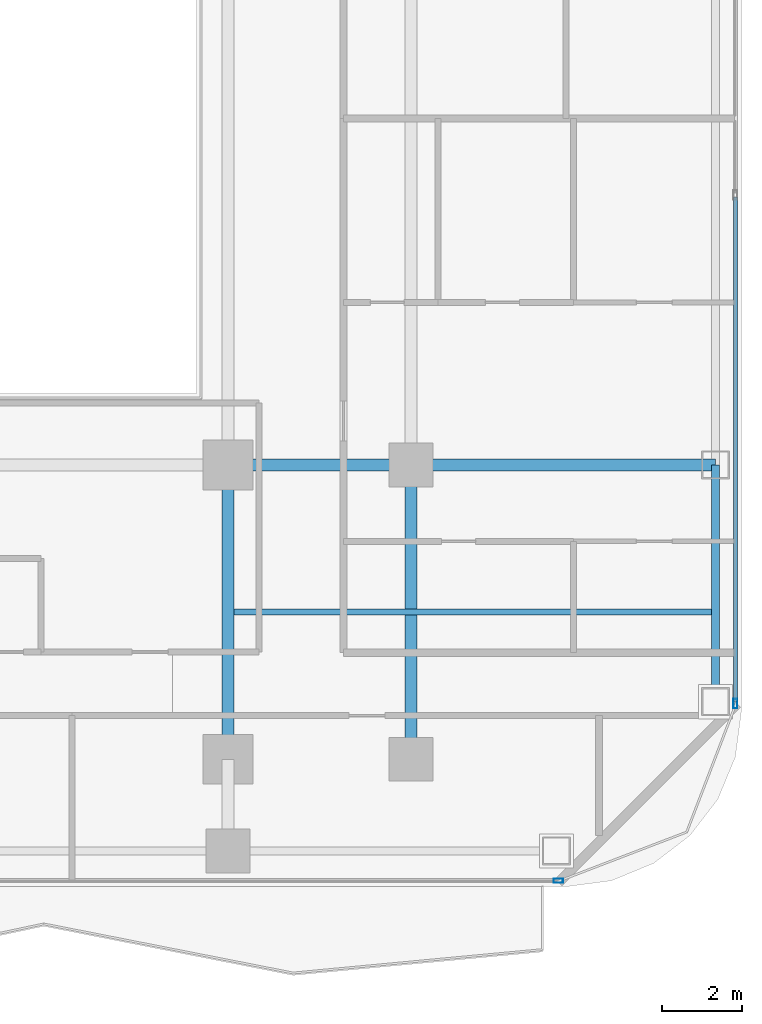
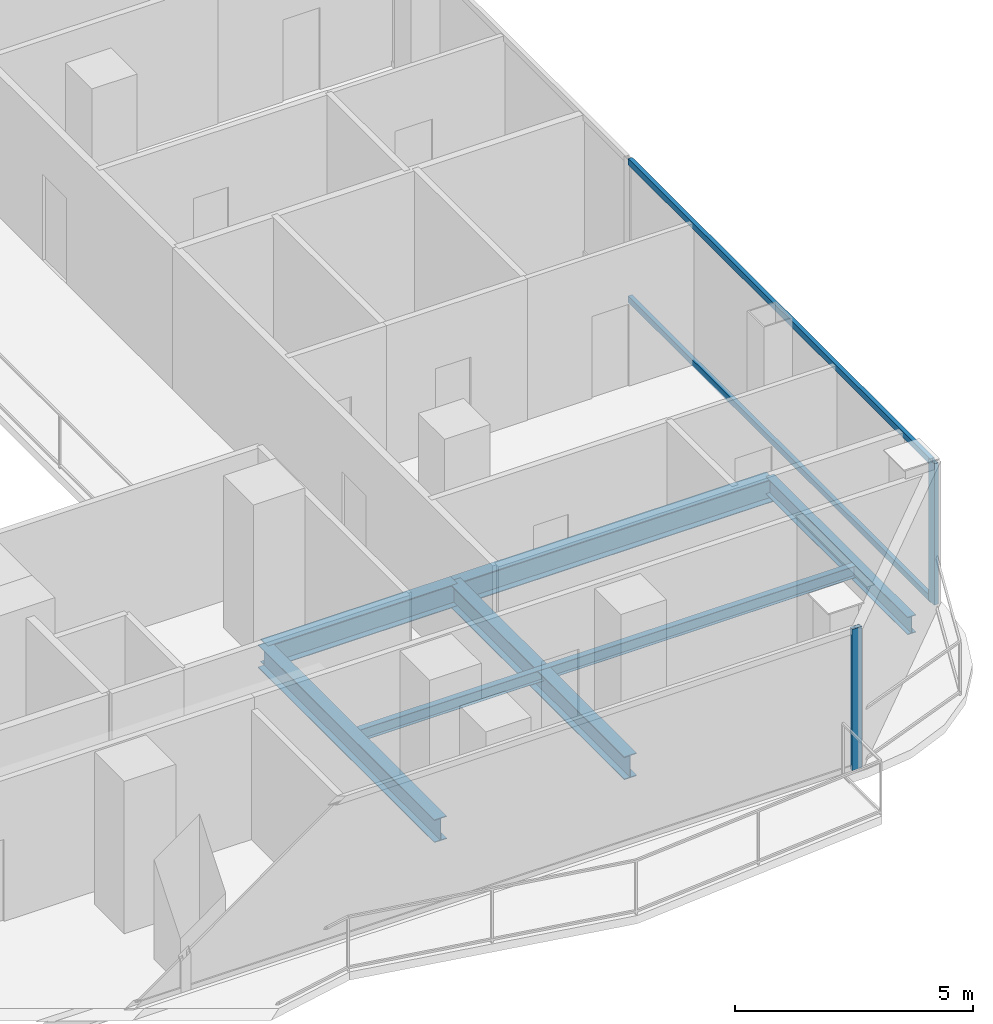
# One storey, part 9 of 27: 6 beams, 4 members, 2 elements without a shape of their own.
"""IFC4 building model written with IfcOpenShell, lengths in metres."""

from ifc_helpers import new_model, si_unit, direction, frame, origin, origin_2d, place, context, subcontext, project, spatial, hollow_rectangle, i_section, extrude, material, layer, layer_set, material_profile, profile_set, type_object, element, aggregate, save


model = new_model("IFC4")

# Units and contexts
model_context = context("Model", 3, precision=1e-05, world=origin(), true_north=direction((0.0, 1.0)))
body_context = subcontext(model_context, "Body", "Model", "MODEL_VIEW")
ifc_project = project(units=[si_unit("LENGTHUNIT", "METRE"), si_unit("AREAUNIT", "SQUARE_METRE"), si_unit("VOLUMEUNIT", "CUBIC_METRE"), si_unit("PLANEANGLEUNIT", "RADIAN"), si_unit("MASSUNIT", "GRAM", prefix="KILO")], contexts=[model_context])

# Site, building, storey
site_placement = place(None, origin())
site = spatial("IfcSite", under=ifc_project, at=site_placement, CompositionType="ELEMENT")
building_placement = place(site_placement, origin())
building = spatial("IfcBuilding", under=site, at=building_placement, Name="Khorvyn Point Tower", CompositionType="ELEMENT")
storey_placement = place(building_placement, frame((0.0, 0.0, 132.89990234375)))
storey = spatial("IfcBuildingStorey", under=building, at=storey_placement, Name="L33", CompositionType="ELEMENT", Elevation=132.89990234375)

# Curtain wall, member
ifc_material_1 = material(Name="Anodised aluminium 6063-T6 and laminated Low-E glass", Category="aluminium")
ifc_layer = layer(ifc_material_1, 0.18994140625)
ifc_layer_set = layer_set([ifc_layer], Name="Stick-Built Acoustic Curtain Wall CW-SYS-03")
curtain_wall_type = type_object("IfcCurtainWallType", Name="Stick-Built Acoustic Curtain Wall CW-SYS-03", PredefinedType="NOTDEFINED", material=ifc_layer_set)
curtain_wall_1_placement = place(storey_placement, origin())
curtain_wall_1 = element("IfcCurtainWall", 1, at=curtain_wall_1_placement, inside=storey, type_object=curtain_wall_type, Name="Curtain Wall", PredefinedType="NOTDEFINED")
ifc_material_2 = material(Name="Anodised aluminium 6063-T6", Category="aluminium")
ifc_material_profile_1 = material_profile(ifc_material_2, hollow_rectangle(XDim=0.10009765625, YDim=0.239990234375, WallThickness=0.0048828125, at=origin_2d()))
ifc_profile_set_1 = profile_set([ifc_material_profile_1], Name="Anodised aluminium 6063-T6 ALU-MUL-100x240")
member_type_1 = type_object("IfcMemberType", Name="Anodised Aluminium 6063-T6 Mullion ALU-MUL-100x240", PredefinedType="MULLION", material=ifc_profile_set_1)
member_1_placement = place(storey_placement, frame((23.10009765625, -17.85009765625, 0.0), z_axis=(0.0, 0.0, 1.0), x_axis=(0.0, -1.0, 0.0)))
member_1 = element("IfcMember", 2, at=member_1_placement, type_object=member_type_1, Name="Transom", PredefinedType="MULLION", context=body_context, shape_type="SweptSolid", body=[
    extrude(hollow_rectangle(XDim=0.10009765625, YDim=0.239990234375, WallThickness=0.0048828125, at=origin_2d()), origin(), (0.0, 0.0, 1.0), 3.6201171875),
])
aggregate(curtain_wall_1, [member_1])

# Curtain wall, members
curtain_wall_2_placement = place(storey_placement, origin())
curtain_wall_2 = element("IfcCurtainWall", 3, at=curtain_wall_2_placement, inside=storey, type_object=curtain_wall_type, Name="Curtain Wall", PredefinedType="NOTDEFINED")
member_2_placement = place(storey_placement, frame((27.550048828125, -13.39990234375, 0.0), z_axis=(0.0, 0.0, 1.0), x_axis=(1.0, 0.0, 0.0)))
member_2 = element("IfcMember", 4, at=member_2_placement, type_object=member_type_1, Name="Transom", PredefinedType="MULLION", context=body_context, shape_type="SweptSolid", body=[
    extrude(hollow_rectangle(XDim=0.10009765625, YDim=0.239990234375, WallThickness=0.0048828125, at=origin_2d()), origin(), (0.0, 0.0, 1.0), 3.6201171875),
])
ifc_material_profile_2 = material_profile(ifc_material_2, hollow_rectangle(XDim=0.10009765625, YDim=0.159912109375, WallThickness=0.00439453125, at=origin_2d()))
ifc_profile_set_2 = profile_set([ifc_material_profile_2], Name="Anodised aluminium 6063-T6 ALU-TRN-100x160")
member_type_2 = type_object("IfcMemberType", Name="Anodised Aluminium 6063-T6 Transom ALU-TRN-100x160", PredefinedType="USERDEFINED", material=ifc_profile_set_2)
member_3_placement = place(storey_placement, frame((27.550048828125, -0.666748046875, 0.050048828125), z_axis=(0.0, -1.0, 0.0), x_axis=(1.0, 0.0, 0.0)))
member_3 = element("IfcMember", 5, at=member_3_placement, type_object=member_type_2, Name="Transom", ObjectType="TRANSOM", PredefinedType="USERDEFINED", context=body_context, shape_type="SweptSolid", body=[
    extrude(hollow_rectangle(XDim=0.10009765625, YDim=0.159912109375, WallThickness=0.00439453125, at=origin_2d()), origin(), (0.0, 0.0, 1.0), 12.683349609375),
])
member_4_placement = place(storey_placement, frame((27.550048828125, -0.666748046875, 3.570068359375), z_axis=(0.0, -1.0, 0.0), x_axis=(1.0, 0.0, 0.0)))
member_4 = element("IfcMember", 6, at=member_4_placement, type_object=member_type_2, Name="Transom", ObjectType="TRANSOM", PredefinedType="USERDEFINED", context=body_context, shape_type="SweptSolid", body=[
    extrude(hollow_rectangle(XDim=0.10009765625, YDim=0.159912109375, WallThickness=0.00439453125, at=origin_2d()), origin(), (0.0, 0.0, 1.0), 12.683349609375),
])
aggregate(curtain_wall_2, [member_2, member_3, member_4])

# Beams
ifc_material_3 = material(Name="Steel S355", Category="steel")
ifc_material_profile_3 = material_profile(ifc_material_3, i_section(OverallWidth=0.300048828125, OverallDepth=0.587890625, WebThickness=0.011962890625, FlangeThickness=0.02001953125, at=origin_2d()))
ifc_profile_set_3 = profile_set([ifc_material_profile_3], Name="Steel S355 H588x300x12x20")
beam_type_1 = type_object("IfcBeamType", Name="Steel S355 Beam H588x300x12x20", PredefinedType="BEAM", material=ifc_profile_set_3)
beam_1_placement = place(storey_placement, frame((14.800048828125, -7.39990234375, -0.513916015625), z_axis=(1.0, 0.0, 0.0), x_axis=(0.0, 1.0, 0.0)))
element("IfcBeam", 7, at=beam_1_placement, inside=storey, type_object=beam_type_1, Name="Beam", PredefinedType="BEAM", context=body_context, shape_type="SweptSolid", body=[
    extrude(i_section(OverallWidth=0.300048828125, OverallDepth=0.587890625, WebThickness=0.011962890625, FlangeThickness=0.02001953125, at=origin_2d()), origin(), (0.0, 0.0, 1.0), 4.599853515625),
])
beam_2_placement = place(storey_placement, frame((19.39990234375, -7.39990234375, -0.513916015625), z_axis=(1.0, 0.0, 0.0), x_axis=(0.0, 1.0, 0.0)))
element("IfcBeam", 8, at=beam_2_placement, inside=storey, type_object=beam_type_1, Name="Beam", PredefinedType="BEAM", context=body_context, shape_type="SweptSolid", body=[
    extrude(i_section(OverallWidth=0.300048828125, OverallDepth=0.587890625, WebThickness=0.011962890625, FlangeThickness=0.02001953125, at=origin_2d()), origin(), (0.0, 0.0, 1.0), 7.650146484375),
])
for number, where, z_axis, x_axis, name in (
    (9, (14.800048828125, -14.800048828125, -0.513916015625), (0.0, 1.0, 0.0), (-1.0, 0.0, 0.0), "Beam"),
    (10, (19.39990234375, -14.800048828125, -0.513916015625), (0.0, 1.0, 0.0), (-1.0, 0.0, 0.0), "Beam"),
):
    element("IfcBeam", number, at=place(storey_placement, frame(where, z_axis=z_axis, x_axis=x_axis)), inside=storey, type_object=beam_type_1, Name=name, PredefinedType="BEAM", context=body_context, shape_type="SweptSolid", body=[
        extrude(i_section(OverallWidth=0.300048828125, OverallDepth=0.587890625, WebThickness=0.011962890625, FlangeThickness=0.02001953125, at=origin_2d()), origin(), (0.0, 0.0, 1.0), 7.400146484375),
    ])
ifc_material_profile_4 = material_profile(ifc_material_3, i_section(OverallWidth=0.14990234375, OverallDepth=0.300048828125, WebThickness=0.006591796875, FlangeThickness=0.009033203125, at=origin_2d()))
ifc_profile_set_4 = profile_set([ifc_material_profile_4], Name="Steel S355 H300x150x6.5x9")
beam_type_2 = type_object("IfcBeamType", Name="Steel S355 Joist H300x150x6.5x9", PredefinedType="JOIST", material=ifc_profile_set_4)
beam_3_placement = place(storey_placement, frame((14.949951171875, -11.10009765625, -0.369873046875), z_axis=(1.0, 0.0, 0.0), x_axis=(0.0, 1.0, 0.0)))
element("IfcBeam", 11, at=beam_3_placement, inside=storey, type_object=beam_type_2, Name="Beam", PredefinedType="JOIST", context=body_context, shape_type="SweptSolid", body=[
    extrude(i_section(OverallWidth=0.14990234375, OverallDepth=0.300048828125, WebThickness=0.006591796875, FlangeThickness=0.009033203125, at=origin_2d()), origin(), (0.0, 0.0, 1.0), 12.0),
])
ifc_material_profile_5 = material_profile(ifc_material_3, i_section(OverallWidth=0.199951171875, OverallDepth=0.449951171875, WebThickness=0.009033203125, FlangeThickness=0.013916015625, at=origin_2d()))
ifc_profile_set_5 = profile_set([ifc_material_profile_5], Name="Steel S355 H450x200x9x14")
beam_type_3 = type_object("IfcBeamType", Name="Steel S355 Spandrel H450x200x9x14", PredefinedType="SPANDREL", material=ifc_profile_set_5)
beam_4_placement = place(storey_placement, frame((27.050048828125, -13.35009765625, -0.44482421875), z_axis=(0.0, 1.0, 0.0), x_axis=(-1.0, 0.0, 0.0)))
element("IfcBeam", 12, at=beam_4_placement, inside=storey, type_object=beam_type_3, Name="Beam", PredefinedType="SPANDREL", context=body_context, shape_type="SweptSolid", body=[
    extrude(i_section(OverallWidth=0.199951171875, OverallDepth=0.449951171875, WebThickness=0.009033203125, FlangeThickness=0.013916015625, at=origin_2d()), origin(), (0.0, 0.0, 1.0), 5.9501953125),
])

save(model, "model.ifc")
